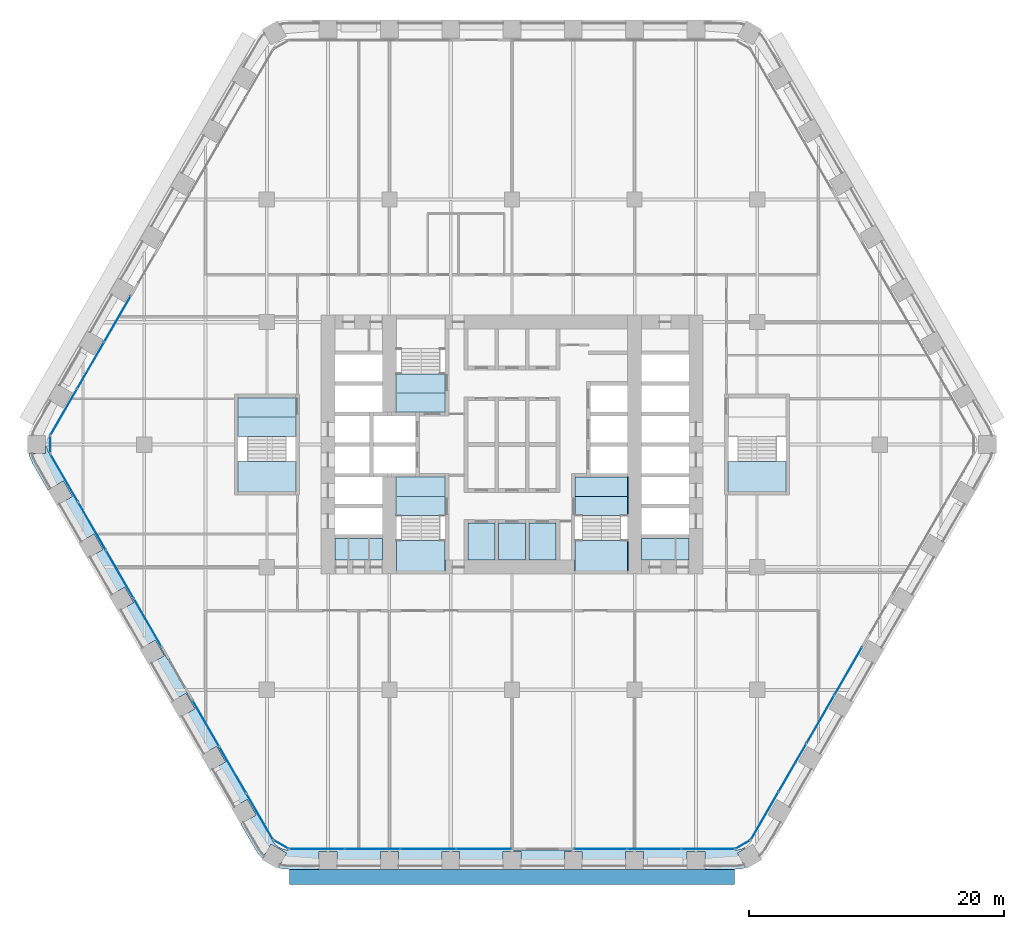
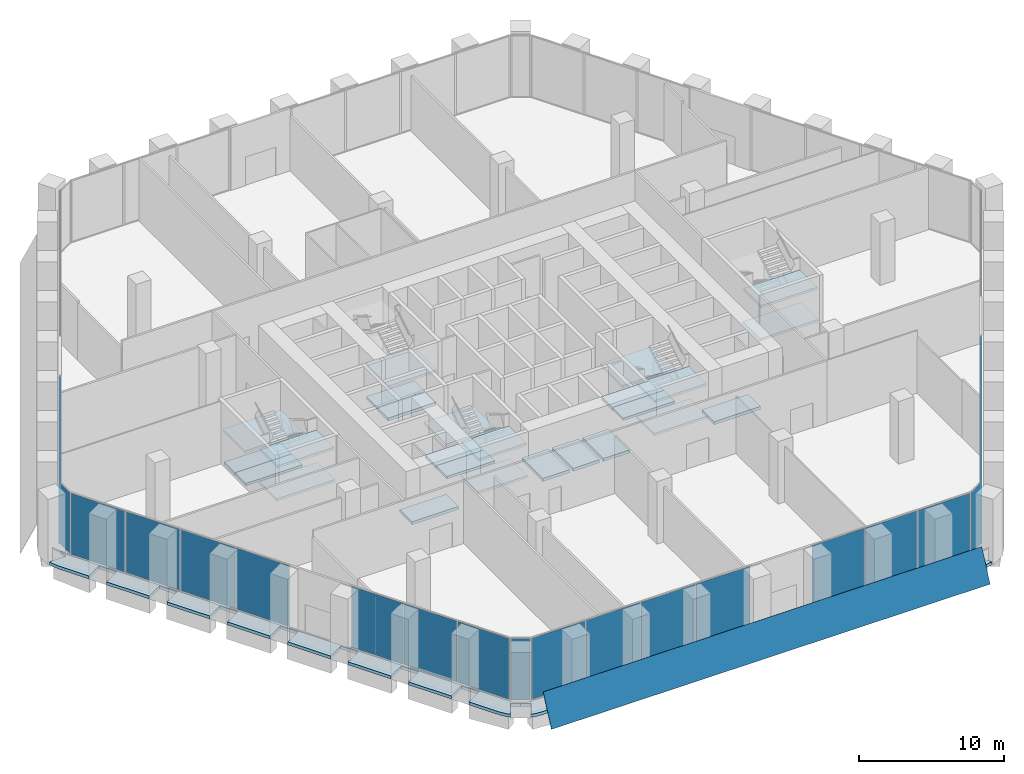
# One storey, part 15 of 27: 27 slabs, 25 plates, 14 elements without a shape of their own.
"""IFC4 building model written with IfcOpenShell, lengths in metres."""

from ifc_helpers import new_model, si_unit, direction, frame, origin, origin_2d, place, context, subcontext, project, spatial, polyline, rectangle, outline, extrude, material, layer, layer_set, type_object, element, aggregate, save


model = new_model("IFC4")

# Units and contexts
model_context = context("Model", 3, precision=1e-05, world=origin(), true_north=direction((0.0, 1.0)))
body_context = subcontext(model_context, "Body", "Model", "MODEL_VIEW")
ifc_project = project(units=[si_unit("LENGTHUNIT", "METRE"), si_unit("AREAUNIT", "SQUARE_METRE"), si_unit("VOLUMEUNIT", "CUBIC_METRE"), si_unit("PLANEANGLEUNIT", "RADIAN"), si_unit("MASSUNIT", "GRAM", prefix="KILO")], contexts=[model_context])

# Site, building, storey
site_placement = place(None, origin())
site = spatial("IfcSite", under=ifc_project, at=site_placement, CompositionType="ELEMENT")
building_placement = place(site_placement, origin())
building = spatial("IfcBuilding", under=site, at=building_placement, Name="Kolab Exchange Tower", CompositionType="ELEMENT")
storey_placement = place(building_placement, frame((0.0, 0.0, 44.39990234375)))
storey = spatial("IfcBuildingStorey", under=building, at=storey_placement, Name="L08", CompositionType="ELEMENT", Elevation=44.39990234375)

# Slabs
ifc_material_1 = material(Name="Concrete C35/45", Category="concrete")
ifc_layer_1 = layer(ifc_material_1, 0.25)
ifc_layer_set_1 = layer_set([ifc_layer_1], Name="Concrete C35/45")
slab_type_1 = type_object("IfcSlabType", Name="FLOOR SLAB 250", PredefinedType="FLOOR", material=ifc_layer_set_1)
slab_1_placement = place(storey_placement, frame((0.0, 0.0, -0.25)))
element("IfcSlab", 1, at=slab_1_placement, inside=storey, type_object=slab_type_1, Name="slab/L08/floor/8", PredefinedType="FLOOR", context=body_context, shape_type="SweptSolid", body=[
    extrude(outline(polyline([(-21.449951171875, 3.64990234375), (-21.449951171875, 2.14990234375), (-16.949951171875, 2.14990234375), (-16.949951171875, 3.64990234375), (-21.449951171875, 3.64990234375)])), origin(), (0.0, 0.0, 1.0), 0.25),
])
slab_2_placement = place(storey_placement, frame((0.0, 0.0, -0.25)))
element("IfcSlab", 2, at=slab_2_placement, inside=storey, type_object=slab_type_1, Name="slab/L08/floor/10", PredefinedType="FLOOR", context=body_context, shape_type="SweptSolid", body=[
    extrude(outline(polyline([(-10.14990234375, -9.050048828125), (-10.14990234375, -7.35009765625), (-13.85009765625, -7.35009765625), (-13.85009765625, -9.050048828125), (-10.14990234375, -9.050048828125)])), origin(), (0.0, 0.0, 1.0), 0.25),
])
slab_3_placement = place(storey_placement, frame((0.0, 0.0, -0.25)))
element("IfcSlab", 3, at=slab_3_placement, inside=storey, type_object=slab_type_1, Name="slab/L08/floor/12", PredefinedType="FLOOR", context=body_context, shape_type="SweptSolid", body=[
    extrude(outline(polyline([(10.14990234375, -7.35009765625), (10.14990234375, -9.050048828125), (13.85009765625, -9.050048828125), (13.85009765625, -7.35009765625), (10.14990234375, -7.35009765625)])), origin(), (0.0, 0.0, 1.0), 0.25),
])
slab_4_placement = place(storey_placement, frame((0.0, 0.0, -0.25)))
element("IfcSlab", 4, at=slab_4_placement, inside=storey, type_object=slab_type_1, Name="slab/L08/floor/14", PredefinedType="FLOOR", context=body_context, shape_type="SweptSolid", body=[
    extrude(outline(polyline([(9.050048828125, -4.050048828125), (9.050048828125, -2.550048828125), (6.14990234375, -2.550048828125), (5.85009765625, -2.550048828125), (4.949951171875, -2.550048828125), (4.949951171875, -4.050048828125), (9.050048828125, -4.050048828125)])), origin(), (0.0, 0.0, 1.0), 0.25),
])
slab_5_placement = place(storey_placement, frame((0.0, 0.0, -0.25)))
element("IfcSlab", 5, at=slab_5_placement, inside=storey, type_object=slab_type_1, Name="slab/L08/floor/15", PredefinedType="FLOOR", context=body_context, shape_type="SweptSolid", body=[
    extrude(outline(polyline([(1.050048828125, -6.14990234375), (-1.050048828125, -6.14990234375), (-1.050048828125, -9.050048828125), (1.050048828125, -9.050048828125), (1.050048828125, -6.14990234375)])), origin(), (0.0, 0.0, 1.0), 0.25),
])
slab_6_placement = place(storey_placement, frame((0.0, 0.0, -0.25)))
element("IfcSlab", 6, at=slab_6_placement, inside=storey, type_object=slab_type_1, Name="slab/L08/floor/17", PredefinedType="FLOOR", context=body_context, shape_type="SweptSolid", body=[
    extrude(outline(polyline([(-1.35009765625, -6.14990234375), (-3.449951171875, -6.14990234375), (-3.449951171875, -9.050048828125), (-1.35009765625, -9.050048828125), (-1.35009765625, -6.14990234375)])), origin(), (0.0, 0.0, 1.0), 0.25),
])
slab_7_placement = place(storey_placement, frame((0.0, 0.0, -0.25)))
element("IfcSlab", 7, at=slab_7_placement, inside=storey, type_object=slab_type_1, Name="slab/L08/floor/19", PredefinedType="FLOOR", context=body_context, shape_type="SweptSolid", body=[
    extrude(outline(polyline([(1.35009765625, -6.14990234375), (1.35009765625, -9.050048828125), (3.449951171875, -9.050048828125), (3.449951171875, -6.14990234375), (1.35009765625, -6.14990234375)])), origin(), (0.0, 0.0, 1.0), 0.25),
])
slab_8_placement = place(storey_placement, frame((0.0, 0.0, -0.25)))
element("IfcSlab", 8, at=slab_8_placement, inside=storey, type_object=slab_type_1, Name="slab/L08/floor/21", PredefinedType="FLOOR", context=body_context, shape_type="SweptSolid", body=[
    extrude(outline(polyline([(-9.050048828125, -4.050048828125), (-5.25, -4.050048828125), (-5.25, -2.550048828125), (-7.25, -2.550048828125), (-7.550048828125, -2.550048828125), (-9.050048828125, -2.550048828125), (-9.050048828125, -4.050048828125)])), origin(), (0.0, 0.0, 1.0), 0.25),
])
slab_9_placement = place(storey_placement, frame((0.0, 0.0, -0.25)))
element("IfcSlab", 9, at=slab_9_placement, inside=storey, type_object=slab_type_1, Name="slab/L08/floor/22", PredefinedType="FLOOR", context=body_context, shape_type="SweptSolid", body=[
    extrude(outline(polyline([(-5.25, 4.050048828125), (-9.050048828125, 4.050048828125), (-9.050048828125, 2.550048828125), (-7.550048828125, 2.550048828125), (-7.25, 2.550048828125), (-5.25, 2.550048828125), (-5.25, 4.050048828125)])), origin(), (0.0, 0.0, 1.0), 0.25),
])
ifc_layer_2 = layer(ifc_material_1, 0.25)
ifc_layer_set_2 = layer_set([ifc_layer_2], Name="Concrete C35/45")
slab_type_2 = type_object("IfcSlabType", Name="LOGGIA SLAB 250", PredefinedType="FLOOR", material=ifc_layer_set_2)
slab_10_placement = place(storey_placement, frame((0.0, 0.0, -0.25)))
element("IfcSlab", 10, at=slab_10_placement, inside=storey, type_object=slab_type_2, Name="slab/L08/loggia/3-0", PredefinedType="FLOOR", context=body_context, shape_type="SweptSolid", body=[
    extrude(outline(polyline([(-18.218017578125, -31.554443359375), (-18.26806640625, -31.64111328125), (-17.66162109375, -31.990966796875), (-18.31494140625, -33.122314453125), (-17.989013671875, -33.209716796875), (-17.468017578125, -33.25537109375), (-15.10009765625, -33.25537109375), (-15.10009765625, -31.85546875), (-13.699951171875, -31.85546875), (-13.699951171875, -33.25537109375), (-10.300048828125, -33.25537109375), (-10.300048828125, -31.85546875), (-8.89990234375, -31.85546875), (-8.89990234375, -33.25537109375), (-5.5, -33.25537109375), (-5.5, -31.85546875), (-4.10009765625, -31.85546875), (-4.10009765625, -33.25537109375), (-0.699951171875, -33.25537109375), (-0.699951171875, -31.85546875), (0.699951171875, -31.85546875), (0.699951171875, -33.25537109375), (4.10009765625, -33.25537109375), (4.10009765625, -31.85546875), (5.5, -31.85546875), (5.5, -33.25537109375), (8.89990234375, -33.25537109375), (8.89990234375, -31.85546875), (10.300048828125, -31.85546875), (10.300048828125, -33.25537109375), (13.699951171875, -33.25537109375), (13.699951171875, -31.85546875), (15.10009765625, -31.85546875), (15.10009765625, -33.25537109375), (17.468017578125, -33.25537109375), (17.989013671875, -33.209716796875), (18.31494140625, -33.122314453125), (17.66162109375, -31.990966796875), (18.26806640625, -31.64111328125), (18.218017578125, -31.554443359375), (17.98095703125, -31.664794921875), (17.728515625, -31.732666015625), (17.468017578125, -31.75537109375), (-17.468017578125, -31.75537109375), (-17.728515625, -31.732666015625), (-17.98095703125, -31.664794921875), (-18.218017578125, -31.554443359375)])), origin(), (0.0, 0.0, 1.0), 0.25),
])
slab_11_placement = place(storey_placement, frame((0.0, 0.0, -0.25)))
element("IfcSlab", 11, at=slab_11_placement, inside=storey, type_object=slab_type_2, Name="slab/L08/loggia/4-0", PredefinedType="FLOOR", context=body_context, shape_type="SweptSolid", body=[
    extrude(outline(polyline([(-36.435791015625, 0.0), (-36.535888671875, 0.0), (-36.535888671875, -0.699951171875), (-37.84228515625, -0.699951171875), (-37.7548828125, -1.026123046875), (-37.533935546875, -1.5), (-36.35009765625, -3.55078125), (-35.137451171875, -2.8505859375), (-34.4375, -4.063232421875), (-35.64990234375, -4.76318359375), (-33.949951171875, -7.70751953125), (-32.737548828125, -7.007568359375), (-32.03759765625, -8.219970703125), (-33.25, -8.920166015625), (-31.550048828125, -11.864501953125), (-30.337646484375, -11.16455078125), (-29.637451171875, -12.376953125), (-30.85009765625, -13.076904296875), (-29.14990234375, -16.021484375), (-27.9375, -15.321533203125), (-27.237548828125, -16.533935546875), (-28.449951171875, -17.23388671875), (-26.75, -20.178466796875), (-25.53759765625, -19.478271484375), (-24.837646484375, -20.69091796875), (-26.050048828125, -21.390869140625), (-24.35009765625, -24.335205078125), (-23.137451171875, -23.63525390625), (-22.4375, -24.84765625), (-23.64990234375, -25.5478515625), (-21.949951171875, -28.4921875), (-20.737548828125, -27.792236328125), (-20.03759765625, -29.004638671875), (-21.25, -29.70458984375), (-20.06591796875, -31.75537109375), (-19.76611328125, -32.183837890625), (-19.52734375, -32.42236328125), (-18.874267578125, -31.291015625), (-18.26806640625, -31.64111328125), (-18.218017578125, -31.554443359375), (-18.43212890625, -31.404541015625), (-18.616943359375, -31.219482421875), (-18.76708984375, -31.00537109375), (-36.23486328125, -0.75), (-36.345458984375, -0.512939453125), (-36.4130859375, -0.260498046875), (-36.435791015625, 0.0)])), origin(), (0.0, 0.0, 1.0), 0.25),
])

# Plate
ifc_material_2 = material(Name="Laminated glass, clear", Category="glass")
ifc_layer_3 = layer(ifc_material_2, 0.0400390625)
ifc_layer_set_3 = layer_set([ifc_layer_3], Name="Laminated glass, clear")
plate_type_1 = type_object("IfcPlateType", Name="OUTER SKIN LAMINATED GLASS SHEET 40", PredefinedType="SHEET", material=ifc_layer_set_3)
plate_1_placement = place(storey_placement, frame((17.41796875, -34.435302734375, -0.782958984375), z_axis=(0.0, -0.906309875243, 0.422613783538), x_axis=(-1.0, 0.0, 0.0)))
element("IfcPlate", 12, at=plate_1_placement, inside=storey, type_object=plate_type_1, Name="Outer skin", PredefinedType="SHEET", context=body_context, shape_type="SweptSolid", body=[
    extrude(outline(polyline([(0.0, 0.0), (34.8359375, 0.0), (34.8359375, -2.7059095846952848), (0.0, -2.7059095846952848), (0.0, 0.0)])), origin(), (0.0, 0.0, -1.0), 0.0400390625),
])

# Stair, slabs
ifc_material_3 = material(Name="Concrete C50/60", Category="concrete")
stair_type_1 = type_object("IfcStairType", Name="STAIR ST1 RISER 171.9", PredefinedType="DOUBLE_RETURN_STAIR", material=ifc_material_3)
stair_1_placement = place(storey_placement, origin())
stair_1 = element("IfcStair", 13, at=stair_1_placement, inside=storey, type_object=stair_type_1, Name="Stair 1", PredefinedType="DOUBLE_RETURN_STAIR")
ifc_layer_4 = layer(ifc_material_3, 0.199951171875)
ifc_layer_set_4 = layer_set([ifc_layer_4], Name="Concrete C50/60")
slab_type_3 = type_object("IfcSlabType", Name="STAIR LANDING 200", PredefinedType="LANDING", material=ifc_layer_set_4)
slab_12_placement = place(storey_placement, frame((0.0, 0.0, -0.199951171875)))
slab_12 = element("IfcSlab", 14, at=slab_12_placement, type_object=slab_type_3, Name="ST1 landing 1", PredefinedType="LANDING", context=body_context, shape_type="SweptSolid", body=[
    extrude(outline(polyline([(-9.050048828125, 4.050048828125), (-5.25, 4.050048828125), (-5.25, 5.550048828125), (-9.050048828125, 5.550048828125), (-9.050048828125, 4.050048828125)])), origin(), (0.0, 0.0, 1.0), 0.199951171875),
])
slab_13_placement = place(storey_placement, frame((0.0, 0.0, 2.550048828125)))
slab_13 = element("IfcSlab", 15, at=slab_13_placement, type_object=slab_type_3, Name="ST1 landing 3", PredefinedType="LANDING", context=body_context, shape_type="SweptSolid", body=[
    extrude(outline(polyline([(-9.110107421875, 2.489990234375), (-5.18994140625, 2.489990234375), (-5.18994140625, 5.550048828125), (-9.110107421875, 5.550048828125), (-9.110107421875, 2.489990234375)])), origin(), (0.0, 0.0, 1.0), 0.199951171875),
])
aggregate(stair_1, [slab_12, slab_13])

stair_type_2 = type_object("IfcStairType", Name="STAIR ST3 RISER 171.9", PredefinedType="DOUBLE_RETURN_STAIR", material=ifc_material_3)
stair_2_placement = place(storey_placement, origin())
stair_2 = element("IfcStair", 16, at=stair_2_placement, inside=storey, type_object=stair_type_2, Name="Stair 3", PredefinedType="DOUBLE_RETURN_STAIR")
slab_14_placement = place(storey_placement, frame((0.0, 0.0, -0.199951171875)))
slab_14 = element("IfcSlab", 17, at=slab_14_placement, type_object=slab_type_3, Name="ST3 landing 1", PredefinedType="LANDING", context=body_context, shape_type="SweptSolid", body=[
    extrude(outline(polyline([(-9.050048828125, -5.550048828125), (-5.25, -5.550048828125), (-5.25, -4.050048828125), (-9.050048828125, -4.050048828125), (-9.050048828125, -5.550048828125)])), origin(), (0.0, 0.0, 1.0), 0.199951171875),
])
slab_15_placement = place(storey_placement, frame((0.0, 0.0, 1.175048828125)))
slab_15 = element("IfcSlab", 18, at=slab_15_placement, type_object=slab_type_3, Name="ST3 landing 2", PredefinedType="LANDING", context=body_context, shape_type="SweptSolid", body=[
    extrude(outline(polyline([(-9.110107421875, -9.909912109375), (-5.18994140625, -9.909912109375), (-5.18994140625, -7.510009765625), (-9.110107421875, -7.510009765625), (-9.110107421875, -9.909912109375)])), origin(), (0.0, 0.0, 1.0), 0.199951171875),
])
slab_16_placement = place(storey_placement, frame((0.0, 0.0, 2.550048828125)))
slab_16 = element("IfcSlab", 19, at=slab_16_placement, type_object=slab_type_3, Name="ST3 landing 3", PredefinedType="LANDING", context=body_context, shape_type="SweptSolid", body=[
    extrude(outline(polyline([(-9.110107421875, -5.550048828125), (-5.18994140625, -5.550048828125), (-5.18994140625, -2.489990234375), (-9.110107421875, -2.489990234375), (-9.110107421875, -5.550048828125)])), origin(), (0.0, 0.0, 1.0), 0.199951171875),
])
slab_17_placement = place(storey_placement, frame((0.0, 0.0, 3.925048828125)))
slab_17 = element("IfcSlab", 20, at=slab_17_placement, type_object=slab_type_3, Name="ST3 landing 4", PredefinedType="LANDING", context=body_context, shape_type="SweptSolid", body=[
    extrude(outline(polyline([(-9.050048828125, -9.909912109375), (-5.25, -9.909912109375), (-5.25, -7.510009765625), (-9.050048828125, -7.510009765625), (-9.050048828125, -9.909912109375)])), origin(), (0.0, 0.0, 1.0), 0.199951171875),
])
aggregate(stair_2, [slab_14, slab_15, slab_16, slab_17])

stair_type_3 = type_object("IfcStairType", Name="STAIR ST2 RISER 171.9", PredefinedType="DOUBLE_RETURN_STAIR", material=ifc_material_3)
stair_3_placement = place(storey_placement, origin())
stair_3 = element("IfcStair", 21, at=stair_3_placement, inside=storey, type_object=stair_type_3, Name="Stair 2", PredefinedType="DOUBLE_RETURN_STAIR")
slab_18_placement = place(storey_placement, frame((0.0, 0.0, -0.199951171875)))
slab_18 = element("IfcSlab", 22, at=slab_18_placement, type_object=slab_type_3, Name="ST2 landing 1", PredefinedType="LANDING", context=body_context, shape_type="SweptSolid", body=[
    extrude(outline(polyline([(4.949951171875, -5.550048828125), (9.050048828125, -5.550048828125), (9.050048828125, -4.050048828125), (4.949951171875, -4.050048828125), (4.949951171875, -5.550048828125)])), origin(), (0.0, 0.0, 1.0), 0.199951171875),
])
slab_19_placement = place(storey_placement, frame((0.0, 0.0, 1.175048828125)))
slab_19 = element("IfcSlab", 23, at=slab_19_placement, type_object=slab_type_3, Name="ST2 landing 2", PredefinedType="LANDING", context=body_context, shape_type="SweptSolid", body=[
    extrude(outline(polyline([(4.889892578125, -9.909912109375), (9.110107421875, -9.909912109375), (9.110107421875, -7.510009765625), (4.889892578125, -7.510009765625), (4.889892578125, -9.909912109375)])), origin(), (0.0, 0.0, 1.0), 0.199951171875),
])
slab_20_placement = place(storey_placement, frame((0.0, 0.0, 2.550048828125)))
slab_20 = element("IfcSlab", 24, at=slab_20_placement, type_object=slab_type_3, Name="ST2 landing 3", PredefinedType="LANDING", context=body_context, shape_type="SweptSolid", body=[
    extrude(outline(polyline([(4.889892578125, -5.550048828125), (9.110107421875, -5.550048828125), (9.110107421875, -2.489990234375), (4.889892578125, -2.489990234375), (4.889892578125, -5.550048828125)])), origin(), (0.0, 0.0, 1.0), 0.199951171875),
])
slab_21_placement = place(storey_placement, frame((0.0, 0.0, 3.925048828125)))
slab_21 = element("IfcSlab", 25, at=slab_21_placement, type_object=slab_type_3, Name="ST2 landing 4", PredefinedType="LANDING", context=body_context, shape_type="SweptSolid", body=[
    extrude(outline(polyline([(4.949951171875, -9.909912109375), (9.050048828125, -9.909912109375), (9.050048828125, -7.510009765625), (4.949951171875, -7.510009765625), (4.949951171875, -9.909912109375)])), origin(), (0.0, 0.0, 1.0), 0.199951171875),
])
aggregate(stair_3, [slab_18, slab_19, slab_20, slab_21])

stair_type_4 = type_object("IfcStairType", Name="STAIR ST4 RISER 171.9", PredefinedType="DOUBLE_RETURN_STAIR", material=ifc_material_3)
stair_4_placement = place(storey_placement, origin())
stair_4 = element("IfcStair", 26, at=stair_4_placement, inside=storey, type_object=stair_type_4, Name="Stair 4", PredefinedType="DOUBLE_RETURN_STAIR")
slab_22_placement = place(storey_placement, frame((0.0, 0.0, 1.175048828125)))
slab_22 = element("IfcSlab", 27, at=slab_22_placement, type_object=slab_type_3, Name="ST4 landing 2", PredefinedType="LANDING", context=body_context, shape_type="SweptSolid", body=[
    extrude(outline(polyline([(16.889892578125, -3.7099609375), (21.510009765625, -3.7099609375), (21.510009765625, -1.31005859375), (16.889892578125, -1.31005859375), (16.889892578125, -3.7099609375)])), origin(), (0.0, 0.0, 1.0), 0.199951171875),
])
slab_23_placement = place(storey_placement, frame((0.0, 0.0, 3.925048828125)))
slab_23 = element("IfcSlab", 28, at=slab_23_placement, type_object=slab_type_3, Name="ST4 landing 4", PredefinedType="LANDING", context=body_context, shape_type="SweptSolid", body=[
    extrude(outline(polyline([(16.949951171875, -3.7099609375), (21.449951171875, -3.7099609375), (21.449951171875, -1.31005859375), (16.949951171875, -1.31005859375), (16.949951171875, -3.7099609375)])), origin(), (0.0, 0.0, 1.0), 0.199951171875),
])
aggregate(stair_4, [slab_22, slab_23])

stair_type_5 = type_object("IfcStairType", Name="STAIR ST5 RISER 171.9", PredefinedType="DOUBLE_RETURN_STAIR", material=ifc_material_3)
stair_5_placement = place(storey_placement, origin())
stair_5 = element("IfcStair", 29, at=stair_5_placement, inside=storey, type_object=stair_type_5, Name="Stair 5", PredefinedType="DOUBLE_RETURN_STAIR")
slab_24_placement = place(storey_placement, frame((0.0, 0.0, -0.199951171875)))
slab_24 = element("IfcSlab", 30, at=slab_24_placement, type_object=slab_type_3, Name="ST5 landing 1", PredefinedType="LANDING", context=body_context, shape_type="SweptSolid", body=[
    extrude(outline(polyline([(-21.449951171875, 0.64990234375), (-16.949951171875, 0.64990234375), (-16.949951171875, 2.14990234375), (-21.449951171875, 2.14990234375), (-21.449951171875, 0.64990234375)])), origin(), (0.0, 0.0, 1.0), 0.199951171875),
])
slab_25_placement = place(storey_placement, frame((0.0, 0.0, 1.175048828125)))
slab_25 = element("IfcSlab", 31, at=slab_25_placement, type_object=slab_type_3, Name="ST5 landing 2", PredefinedType="LANDING", context=body_context, shape_type="SweptSolid", body=[
    extrude(outline(polyline([(-21.510009765625, -3.7099609375), (-16.889892578125, -3.7099609375), (-16.889892578125, -1.31005859375), (-21.510009765625, -1.31005859375), (-21.510009765625, -3.7099609375)])), origin(), (0.0, 0.0, 1.0), 0.199951171875),
])
slab_26_placement = place(storey_placement, frame((0.0, 0.0, 2.550048828125)))
slab_26 = element("IfcSlab", 32, at=slab_26_placement, type_object=slab_type_3, Name="ST5 landing 3", PredefinedType="LANDING", context=body_context, shape_type="SweptSolid", body=[
    extrude(outline(polyline([(-21.510009765625, 0.64990234375), (-16.889892578125, 0.64990234375), (-16.889892578125, 3.7099609375), (-21.510009765625, 3.7099609375), (-21.510009765625, 0.64990234375)])), origin(), (0.0, 0.0, 1.0), 0.199951171875),
])
slab_27_placement = place(storey_placement, frame((0.0, 0.0, 3.925048828125)))
slab_27 = element("IfcSlab", 33, at=slab_27_placement, type_object=slab_type_3, Name="ST5 landing 4", PredefinedType="LANDING", context=body_context, shape_type="SweptSolid", body=[
    extrude(outline(polyline([(-21.449951171875, -3.7099609375), (-16.949951171875, -3.7099609375), (-16.949951171875, -1.31005859375), (-21.449951171875, -1.31005859375), (-21.449951171875, -3.7099609375)])), origin(), (0.0, 0.0, 1.0), 0.199951171875),
])
aggregate(stair_5, [slab_24, slab_25, slab_26, slab_27])

# Curtain wall, plates
ifc_material_4 = material(Name="Aluminium EN AW-6063 T6", Category="aluminium")
curtain_wall_type = type_object("IfcCurtainWallType", Name="UNITISED LOW ZONE CURTAIN WALL", PredefinedType="NOTDEFINED", material=ifc_material_4)
curtain_wall_1_placement = place(storey_placement, origin())
curtain_wall_1 = element("IfcCurtainWall", 34, at=curtain_wall_1_placement, inside=storey, type_object=curtain_wall_type, Name="cw/L08/F3-2", PredefinedType="NOTDEFINED")
ifc_material_5 = material(Name="Clear insulated glazing unit", Category="glass")
ifc_layer_5 = layer(ifc_material_5, 0.02392578125)
ifc_layer_set_5 = layer_set([ifc_layer_5], Name="Clear insulated glazing unit")
plate_type_2 = type_object("IfcPlateType", Name="UNITISED LOW ZONE GLASS PANEL 24", PredefinedType="CURTAIN_PANEL", material=ifc_layer_set_5)
plate_2_placement = place(storey_placement, frame((26.33251953125, -17.74169921875, 0.06005859375), z_axis=(0.0, 0.0, 1.0), x_axis=(-0.5000000112, -0.866025397318, 0.0)))
plate_2 = element("IfcPlate", 35, at=plate_2_placement, type_object=plate_type_2, Name="CW1 panel 1.1", PredefinedType="CURTAIN_PANEL", context=body_context, shape_type="SweptSolid", body=[
    extrude(rectangle(XDim=4.277099609375, YDim=0.02392578125, at=origin_2d()), origin(), (0.0, 0.0, 1.0), 5.1298828125),
])
plate_3_placement = place(storey_placement, frame((24.156494140625, -21.510498046875, 0.06005859375), z_axis=(0.0, 0.0, 1.0), x_axis=(-0.5000000112, -0.866025397318, 0.0)))
plate_3 = element("IfcPlate", 36, at=plate_3_placement, type_object=plate_type_2, Name="CW1 panel 2.1", PredefinedType="CURTAIN_PANEL", context=body_context, shape_type="SweptSolid", body=[
    extrude(rectangle(XDim=4.306884765625, YDim=0.02392578125, at=origin_2d()), origin(), (0.0, 0.0, 1.0), 5.1298828125),
])
plate_4_placement = place(storey_placement, frame((21.972900390625, -25.29248046875, 0.06005859375), z_axis=(0.0, 0.0, 1.0), x_axis=(-0.5000000112, -0.866025397318, 0.0)))
plate_4 = element("IfcPlate", 37, at=plate_4_placement, type_object=plate_type_2, Name="CW1 panel 3.1", PredefinedType="CURTAIN_PANEL", context=body_context, shape_type="SweptSolid", body=[
    extrude(rectangle(XDim=4.306884765625, YDim=0.02392578125, at=origin_2d()), origin(), (0.0, 0.0, 1.0), 5.1298828125),
])
plate_5_placement = place(storey_placement, frame((19.796875, -29.0615234375, 0.06005859375), z_axis=(0.0, 0.0, 1.0), x_axis=(-0.5000000112, -0.866025397318, 0.0)))
plate_5 = element("IfcPlate", 38, at=plate_5_placement, type_object=plate_type_2, Name="CW1 panel 4.1", PredefinedType="CURTAIN_PANEL", context=body_context, shape_type="SweptSolid", body=[
    extrude(rectangle(XDim=4.277099609375, YDim=0.02392578125, at=origin_2d()), origin(), (0.0, 0.0, 1.0), 5.1298828125),
])
aggregate(curtain_wall_1, [plate_2, plate_3, plate_4, plate_5])

curtain_wall_2_placement = place(storey_placement, origin())
curtain_wall_2 = element("IfcCurtainWall", 39, at=curtain_wall_2_placement, inside=storey, type_object=curtain_wall_type, Name="cw/L08/F4-1", PredefinedType="NOTDEFINED")
plate_6_placement = place(storey_placement, frame((15.341552734375, -31.67529296875, 0.06005859375), z_axis=(0.0, 0.0, 1.0), x_axis=(-1.0, 0.0, 0.0)))
plate_6 = element("IfcPlate", 40, at=plate_6_placement, type_object=plate_type_2, Name="CW1 panel 1.1", PredefinedType="CURTAIN_PANEL", context=body_context, shape_type="SweptSolid", body=[
    extrude(rectangle(XDim=4.132568359375, YDim=0.02392578125, at=origin_2d()), origin(), (0.0, 0.0, 1.0), 5.1298828125),
])
plate_7_placement = place(storey_placement, frame((11.134033203125, -31.67529296875, 0.06005859375), z_axis=(0.0, 0.0, 1.0), x_axis=(-1.0, 0.0, 0.0)))
plate_7 = element("IfcPlate", 41, at=plate_7_placement, type_object=plate_type_2, Name="CW1 panel 2.1", PredefinedType="CURTAIN_PANEL", context=body_context, shape_type="SweptSolid", body=[
    extrude(rectangle(XDim=4.16259765625, YDim=0.02392578125, at=origin_2d()), origin(), (0.0, 0.0, 1.0), 5.1298828125),
])
plate_8_placement = place(storey_placement, frame((6.92626953125, -31.67529296875, 0.06005859375), z_axis=(0.0, 0.0, 1.0), x_axis=(-1.0, 0.0, 0.0)))
plate_8 = element("IfcPlate", 42, at=plate_8_placement, type_object=plate_type_2, Name="CW1 panel 3.1", PredefinedType="CURTAIN_PANEL", context=body_context, shape_type="SweptSolid", body=[
    extrude(rectangle(XDim=4.132568359375, YDim=0.02392578125, at=origin_2d()), origin(), (0.0, 0.0, 1.0), 5.1298828125),
])
aggregate(curtain_wall_2, [plate_6, plate_7, plate_8])

curtain_wall_3_placement = place(storey_placement, origin())
curtain_wall_3 = element("IfcCurtainWall", 43, at=curtain_wall_3_placement, inside=storey, type_object=curtain_wall_type, Name="cw/L08/F4-2", PredefinedType="NOTDEFINED")
plate_9_placement = place(storey_placement, frame((-2.198486328125, -31.67529296875, 0.06005859375), z_axis=(0.0, 0.0, 1.0), x_axis=(-1.0, 0.0, 0.0)))
plate_9 = element("IfcPlate", 44, at=plate_9_placement, type_object=plate_type_2, Name="CW1 panel 1.1", PredefinedType="CURTAIN_PANEL", context=body_context, shape_type="SweptSolid", body=[
    extrude(rectangle(XDim=4.277099609375, YDim=0.02392578125, at=origin_2d()), origin(), (0.0, 0.0, 1.0), 5.1298828125),
])
plate_10_placement = place(storey_placement, frame((-6.550537109375, -31.67529296875, 0.06005859375), z_axis=(0.0, 0.0, 1.0), x_axis=(-1.0, 0.0, 0.0)))
plate_10 = element("IfcPlate", 45, at=plate_10_placement, type_object=plate_type_2, Name="CW1 panel 2.1", PredefinedType="CURTAIN_PANEL", context=body_context, shape_type="SweptSolid", body=[
    extrude(rectangle(XDim=4.306884765625, YDim=0.02392578125, at=origin_2d()), origin(), (0.0, 0.0, 1.0), 5.1298828125),
])
plate_11_placement = place(storey_placement, frame((-10.91748046875, -31.67529296875, 0.06005859375), z_axis=(0.0, 0.0, 1.0), x_axis=(-1.0, 0.0, 0.0)))
plate_11 = element("IfcPlate", 46, at=plate_11_placement, type_object=plate_type_2, Name="CW1 panel 3.1", PredefinedType="CURTAIN_PANEL", context=body_context, shape_type="SweptSolid", body=[
    extrude(rectangle(XDim=4.306884765625, YDim=0.02392578125, at=origin_2d()), origin(), (0.0, 0.0, 1.0), 5.1298828125),
])
plate_12_placement = place(storey_placement, frame((-15.26953125, -31.67529296875, 0.06005859375), z_axis=(0.0, 0.0, 1.0), x_axis=(-1.0, 0.0, 0.0)))
plate_12 = element("IfcPlate", 47, at=plate_12_placement, type_object=plate_type_2, Name="CW1 panel 4.1", PredefinedType="CURTAIN_PANEL", context=body_context, shape_type="SweptSolid", body=[
    extrude(rectangle(XDim=4.277099609375, YDim=0.02392578125, at=origin_2d()), origin(), (0.0, 0.0, 1.0), 5.1298828125),
])
aggregate(curtain_wall_3, [plate_9, plate_10, plate_11, plate_12])

curtain_wall_4_placement = place(storey_placement, origin())
curtain_wall_4 = element("IfcCurtainWall", 48, at=curtain_wall_4_placement, inside=storey, type_object=curtain_wall_type, Name="cw/L08/F5-1", PredefinedType="NOTDEFINED")
plate_13_placement = place(storey_placement, frame((-19.760986328125, -29.1240234375, 0.06005859375), z_axis=(0.0, 0.0, 1.0), x_axis=(-0.500000017564, 0.866025393644, 0.0)))
plate_13 = element("IfcPlate", 49, at=plate_13_placement, type_object=plate_type_2, Name="CW1 panel 1.1", PredefinedType="CURTAIN_PANEL", context=body_context, shape_type="SweptSolid", body=[
    extrude(rectangle(XDim=4.132568359375, YDim=0.02392578125, at=origin_2d()), origin(), (0.0, 0.0, 1.0), 5.1298828125),
])
plate_14_placement = place(storey_placement, frame((-21.86474609375, -25.47998046875, 0.06005859375), z_axis=(0.0, 0.0, 1.0), x_axis=(-0.500000017564, 0.866025393644, 0.0)))
plate_14 = element("IfcPlate", 50, at=plate_14_placement, type_object=plate_type_2, Name="CW1 panel 2.1", PredefinedType="CURTAIN_PANEL", context=body_context, shape_type="SweptSolid", body=[
    extrude(rectangle(XDim=4.16259765625, YDim=0.02392578125, at=origin_2d()), origin(), (0.0, 0.0, 1.0), 5.1298828125),
])
plate_15_placement = place(storey_placement, frame((-23.968505859375, -21.836181640625, 0.06005859375), z_axis=(0.0, 0.0, 1.0), x_axis=(-0.500000017564, 0.866025393644, 0.0)))
plate_15 = element("IfcPlate", 51, at=plate_15_placement, type_object=plate_type_2, Name="CW1 panel 3.1", PredefinedType="CURTAIN_PANEL", context=body_context, shape_type="SweptSolid", body=[
    extrude(rectangle(XDim=4.132568359375, YDim=0.02392578125, at=origin_2d()), origin(), (0.0, 0.0, 1.0), 5.1298828125),
])
aggregate(curtain_wall_4, [plate_13, plate_14, plate_15])

curtain_wall_5_placement = place(storey_placement, origin())
curtain_wall_5 = element("IfcCurtainWall", 52, at=curtain_wall_5_placement, inside=storey, type_object=curtain_wall_type, Name="cw/L08/F5-2", PredefinedType="NOTDEFINED")
plate_16_placement = place(storey_placement, frame((-28.531005859375, -13.933837890625, 0.06005859375), z_axis=(0.0, 0.0, 1.0), x_axis=(-0.499999968274, 0.866025422102, 0.0)))
plate_16 = element("IfcPlate", 53, at=plate_16_placement, type_object=plate_type_2, Name="CW1 panel 1.1", PredefinedType="CURTAIN_PANEL", context=body_context, shape_type="SweptSolid", body=[
    extrude(rectangle(XDim=4.277099609375, YDim=0.02392578125, at=origin_2d()), origin(), (0.0, 0.0, 1.0), 5.1298828125),
])
plate_17_placement = place(storey_placement, frame((-30.70703125, -10.164794921875, 0.06005859375), z_axis=(0.0, 0.0, 1.0), x_axis=(-0.499999968274, 0.866025422102, 0.0)))
plate_17 = element("IfcPlate", 54, at=plate_17_placement, type_object=plate_type_2, Name="CW1 panel 2.1", PredefinedType="CURTAIN_PANEL", context=body_context, shape_type="SweptSolid", body=[
    extrude(rectangle(XDim=4.306884765625, YDim=0.02392578125, at=origin_2d()), origin(), (0.0, 0.0, 1.0), 5.1298828125),
])
plate_18_placement = place(storey_placement, frame((-32.890380859375, -6.3828125, 0.06005859375), z_axis=(0.0, 0.0, 1.0), x_axis=(-0.499999968274, 0.866025422102, 0.0)))
plate_18 = element("IfcPlate", 55, at=plate_18_placement, type_object=plate_type_2, Name="CW1 panel 3.1", PredefinedType="CURTAIN_PANEL", context=body_context, shape_type="SweptSolid", body=[
    extrude(rectangle(XDim=4.306884765625, YDim=0.02392578125, at=origin_2d()), origin(), (0.0, 0.0, 1.0), 5.1298828125),
])
plate_19_placement = place(storey_placement, frame((-35.06640625, -2.614013671875, 0.06005859375), z_axis=(0.0, 0.0, 1.0), x_axis=(-0.499999968274, 0.866025422102, 0.0)))
plate_19 = element("IfcPlate", 56, at=plate_19_placement, type_object=plate_type_2, Name="CW1 panel 4.1", PredefinedType="CURTAIN_PANEL", context=body_context, shape_type="SweptSolid", body=[
    extrude(rectangle(XDim=4.277099609375, YDim=0.02392578125, at=origin_2d()), origin(), (0.0, 0.0, 1.0), 5.1298828125),
])
aggregate(curtain_wall_5, [plate_16, plate_17, plate_18, plate_19])

curtain_wall_6_placement = place(storey_placement, origin())
curtain_wall_6 = element("IfcCurtainWall", 57, at=curtain_wall_6_placement, inside=storey, type_object=curtain_wall_type, Name="cw/L08/F6-1", PredefinedType="NOTDEFINED")
plate_20_placement = place(storey_placement, frame((-35.1025390625, 2.551513671875, 0.06005859375), z_axis=(0.0, 0.0, 1.0), x_axis=(0.499999958358, 0.866025427826, 0.0)))
plate_20 = element("IfcPlate", 58, at=plate_20_placement, type_object=plate_type_2, Name="CW1 panel 1.1", PredefinedType="CURTAIN_PANEL", context=body_context, shape_type="SweptSolid", body=[
    extrude(rectangle(XDim=4.132568359375, YDim=0.02392578125, at=origin_2d()), origin(), (0.0, 0.0, 1.0), 5.1298828125),
])
plate_21_placement = place(storey_placement, frame((-32.998779296875, 6.1953125, 0.06005859375), z_axis=(0.0, 0.0, 1.0), x_axis=(0.499999958358, 0.866025427826, 0.0)))
plate_21 = element("IfcPlate", 59, at=plate_21_placement, type_object=plate_type_2, Name="CW1 panel 2.1", PredefinedType="CURTAIN_PANEL", context=body_context, shape_type="SweptSolid", body=[
    extrude(rectangle(XDim=4.16259765625, YDim=0.02392578125, at=origin_2d()), origin(), (0.0, 0.0, 1.0), 5.1298828125),
])
plate_22_placement = place(storey_placement, frame((-30.894775390625, 9.83935546875, 0.06005859375), z_axis=(0.0, 0.0, 1.0), x_axis=(0.499999958358, 0.866025427826, 0.0)))
plate_22 = element("IfcPlate", 60, at=plate_22_placement, type_object=plate_type_2, Name="CW1 panel 3.1", PredefinedType="CURTAIN_PANEL", context=body_context, shape_type="SweptSolid", body=[
    extrude(rectangle(XDim=4.132568359375, YDim=0.02392578125, at=origin_2d()), origin(), (0.0, 0.0, 1.0), 5.1298828125),
])
aggregate(curtain_wall_6, [plate_20, plate_21, plate_22])

# Curtain wall, plate
curtain_wall_7_placement = place(storey_placement, origin())
curtain_wall_7 = element("IfcCurtainWall", 61, at=curtain_wall_7_placement, inside=storey, type_object=curtain_wall_type, Name="cw/L08/F3F4-corner", PredefinedType="NOTDEFINED")
plate_23_placement = place(storey_placement, frame((18.082763671875, -31.3203125, 0.06005859375), z_axis=(0.0, 0.0, 1.0), x_axis=(-0.866025390869, -0.50000002237, 0.0)))
plate_23 = element("IfcPlate", 62, at=plate_23_placement, type_object=plate_type_2, Name="CW1 panel 1.1", PredefinedType="CURTAIN_PANEL", context=body_context, shape_type="SweptSolid", body=[
    extrude(rectangle(XDim=1.300048828125, YDim=0.02392578125, at=origin_2d()), origin(), (0.0, 0.0, 1.0), 5.1298828125),
])
aggregate(curtain_wall_7, [plate_23])

curtain_wall_8_placement = place(storey_placement, origin())
curtain_wall_8 = element("IfcCurtainWall", 63, at=curtain_wall_8_placement, inside=storey, type_object=curtain_wall_type, Name="cw/L08/F4F5-corner", PredefinedType="NOTDEFINED")
plate_24_placement = place(storey_placement, frame((-18.082763671875, -31.3203125, 0.06005859375), z_axis=(0.0, 0.0, 1.0), x_axis=(-0.866025390869, 0.50000002237, 0.0)))
plate_24 = element("IfcPlate", 64, at=plate_24_placement, type_object=plate_type_2, Name="CW1 panel 1.1", PredefinedType="CURTAIN_PANEL", context=body_context, shape_type="SweptSolid", body=[
    extrude(rectangle(XDim=1.300048828125, YDim=0.02392578125, at=origin_2d()), origin(), (0.0, 0.0, 1.0), 5.1298828125),
])
aggregate(curtain_wall_8, [plate_24])

curtain_wall_9_placement = place(storey_placement, origin())
curtain_wall_9 = element("IfcCurtainWall", 65, at=curtain_wall_9_placement, inside=storey, type_object=curtain_wall_type, Name="cw/L08/F5F6-corner", PredefinedType="NOTDEFINED")
plate_25_placement = place(storey_placement, frame((-36.165771484375, 0.0, 0.06005859375), z_axis=(0.0, 0.0, 1.0), x_axis=(0.0, 1.0, 0.0)))
plate_25 = element("IfcPlate", 66, at=plate_25_placement, type_object=plate_type_2, Name="CW1 panel 1.1", PredefinedType="CURTAIN_PANEL", context=body_context, shape_type="SweptSolid", body=[
    extrude(rectangle(XDim=1.300048828125, YDim=0.02392578125, at=origin_2d()), origin(), (0.0, 0.0, 1.0), 5.1298828125),
])
aggregate(curtain_wall_9, [plate_25])

save(model, "model.ifc")
